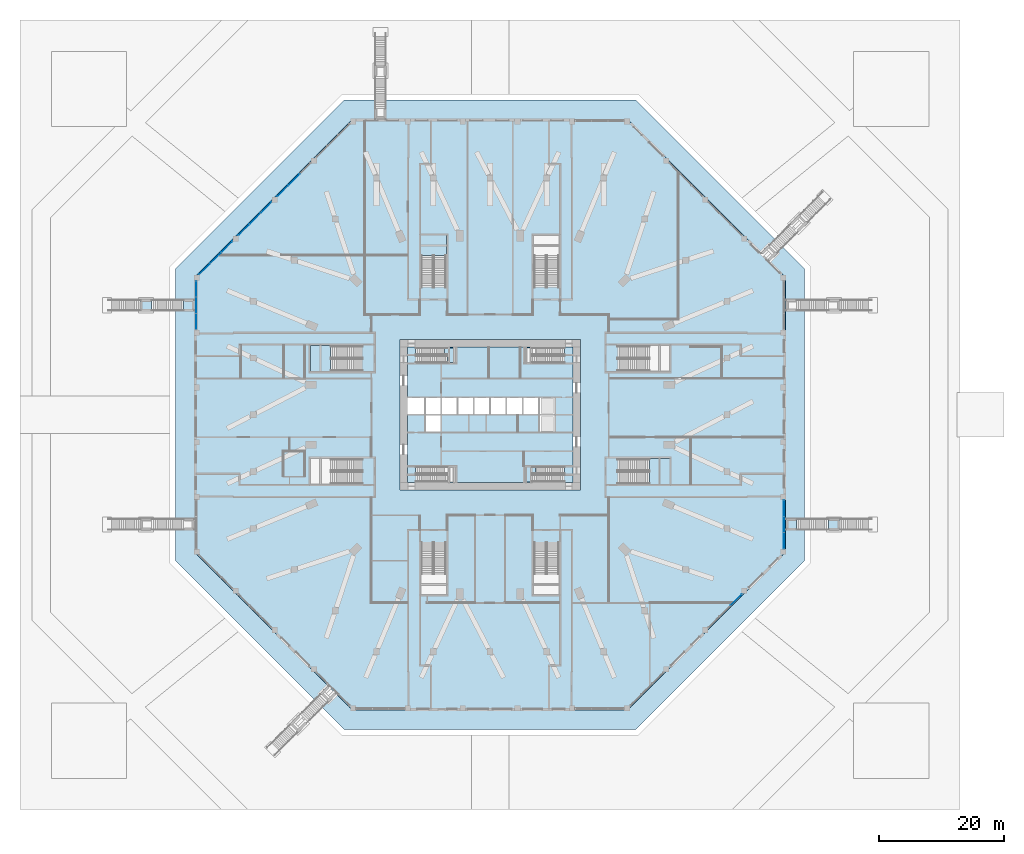
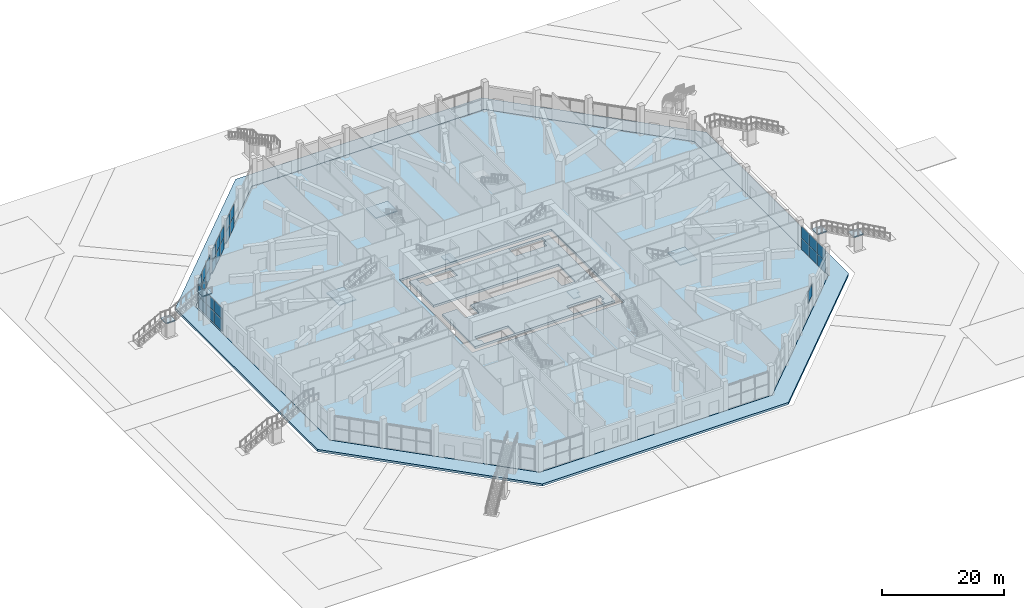
# One storey, part 17 of 36: 29 plates, 12 slabs, 13 elements without a shape of their own.
"""IFC4 building model written with IfcOpenShell, lengths in metres."""

from ifc_helpers import new_model, si_unit, direction, frame, origin, origin_2d, place, context, subcontext, project, spatial, polyline, rectangle, outline, extrude, material, layer, layer_set, constituent, constituent_set, type_object, element, aggregate, save


model = new_model("IFC4")

# Units and contexts
model_context = context("Model", 3, precision=1e-05, world=origin(), true_north=direction((0.0, 1.0)))
body_context = subcontext(model_context, "Body", "Model", "MODEL_VIEW")
ifc_project = project(units=[si_unit("LENGTHUNIT", "METRE"), si_unit("AREAUNIT", "SQUARE_METRE"), si_unit("VOLUMEUNIT", "CUBIC_METRE"), si_unit("PLANEANGLEUNIT", "RADIAN"), si_unit("MASSUNIT", "GRAM", prefix="KILO")], contexts=[model_context])

# Site, building, storey
site_placement = place(None, origin())
site = spatial("IfcSite", under=ifc_project, at=site_placement, CompositionType="ELEMENT")
building_placement = place(site_placement, origin())
building = spatial("IfcBuilding", under=site, at=building_placement, Name="Msitu Wima Residences", CompositionType="ELEMENT")
storey_placement = place(building_placement, origin())
storey = spatial("IfcBuildingStorey", under=building, at=storey_placement, Name="L00", CompositionType="ELEMENT", Elevation=0.0)

# Slabs
ifc_material_1 = material(Name="Concrete C40/50", Category="concrete")
ifc_layer_1 = layer(ifc_material_1, 0.451904296875)
ifc_layer_set_1 = layer_set([ifc_layer_1], Name="Concrete C40/50")
slab_type_1 = type_object("IfcSlabType", Name="Core floor CF452", PredefinedType="FLOOR", material=ifc_layer_set_1)
slab_1_placement = place(storey_placement, frame((0.0, 0.0, -0.451904296875)))
element("IfcSlab", 1, at=slab_1_placement, inside=storey, type_object=slab_type_1, Name="Core floor", PredefinedType="FLOOR", context=body_context, shape_type="SweptSolid", body=[
    extrude(outline(polyline([(-13.199951171875, 10.800048828125), (-13.199951171875, 2.800048828125), (-10.39990234375, 2.800048828125), (-7.800048828125, 2.800048828125), (-5.199951171875, 2.800048828125), (-2.60009765625, 2.800048828125), (0.0, 2.800048828125), (2.60009765625, 2.800048828125), (5.199951171875, 2.800048828125), (7.800048828125, 2.800048828125), (10.39990234375, 2.800048828125), (10.39990234375, 0.0), (10.39990234375, -2.800048828125), (7.800048828125, -2.800048828125), (7.800048828125, 0.0), (5.199951171875, 0.0), (2.60009765625, 0.0), (0.0, 0.0), (-2.60009765625, 0.0), (-5.199951171875, 0.0), (-7.800048828125, 0.0), (-7.800048828125, -2.800048828125), (-10.39990234375, -2.800048828125), (-10.39990234375, 0.0), (-13.199951171875, 0.0), (-13.199951171875, -10.800048828125), (13.199951171875, -10.800048828125), (13.199951171875, 10.800048828125), (-13.199951171875, 10.800048828125)]), holes=[polyline([(-11.375, -10.675048828125), (-11.375, -9.574951171875), (-11.87451171875, -9.574951171875), (-11.87451171875, -8.324951171875), (-5.52490234375, -8.324951171875), (-5.52490234375, -10.675048828125), (-11.375, -10.675048828125)]), polyline([(-11.375, 9.425048828125), (-11.87451171875, 9.425048828125), (-11.87451171875, 10.675048828125), (-5.52490234375, 10.675048828125), (-5.52490234375, 8.324951171875), (-11.375, 8.324951171875), (-11.375, 9.425048828125)]), polyline([(11.375, -9.574951171875), (11.375, -10.675048828125), (5.52490234375, -10.675048828125), (5.52490234375, -8.324951171875), (11.87451171875, -8.324951171875), (11.87451171875, -9.574951171875), (11.375, -9.574951171875)]), polyline([(11.375, 9.425048828125), (11.375, 8.324951171875), (5.52490234375, 8.324951171875), (5.52490234375, 10.675048828125), (11.87451171875, 10.675048828125), (11.87451171875, 9.425048828125), (11.375, 9.425048828125)])]), origin(), (0.0, 0.0, 1.0), 0.451904296875),
])
ifc_layer_2 = layer(ifc_material_1, 0.449951171875)
ifc_layer_set_2 = layer_set([ifc_layer_2], Name="Concrete C40/50")
slab_type_2 = type_object("IfcSlabType", Name="Floor slab FS450", PredefinedType="FLOOR", material=ifc_layer_set_2)
slab_2_placement = place(storey_placement, frame((0.0, 0.0, -0.449951171875)))
element("IfcSlab", 2, at=slab_2_placement, inside=storey, type_object=slab_type_2, Name="Floor slab L00", PredefinedType="FLOOR", context=body_context, shape_type="SweptSolid", body=[
    extrude(outline(polyline([(21.980224609375, -47.10009765625), (-21.980224609375, -47.10009765625), (-47.10009765625, -21.980224609375), (-47.10009765625, 21.980224609375), (-21.980224609375, 47.10009765625), (21.980224609375, 47.10009765625), (47.10009765625, 21.980224609375), (47.10009765625, -21.980224609375), (21.980224609375, -47.10009765625)]), holes=[polyline([(14.39990234375, 12.0), (-14.39990234375, 12.0), (-14.39990234375, -12.0), (14.39990234375, -12.0), (14.39990234375, 12.0)])]), origin(), (0.0, 0.0, 1.0), 0.449951171875),
])

# Stair, slabs
ifc_constituent_1 = constituent(ifc_material_1, Name="Concrete C40/50")
ifc_material_2 = material(Name="Exposed aggregate finish")
ifc_constituent_2 = constituent(ifc_material_2, Name="Exposed aggregate finish")
ifc_constituent_set = constituent_set(constituents=[ifc_constituent_1, ifc_constituent_2], Name="Concrete C40/50")
stair_type_1 = type_object("IfcStairType", Name="Garden stair GX1667-180", PredefinedType="STRAIGHT_RUN_STAIR", material=ifc_constituent_set)
stair_1_placement = place(storey_placement, origin())
stair_1 = element("IfcStair", 3, at=stair_1_placement, inside=storey, type_object=stair_type_1, Name="Garden stair 2", PredefinedType="STRAIGHT_RUN_STAIR")
ifc_layer_3 = layer(ifc_material_1, 0.199951171875)
ifc_layer_set_3 = layer_set([ifc_layer_3], Name="Concrete C40/50")
slab_type_3 = type_object("IfcSlabType", Name="Garden stair landing LG200", PredefinedType="LANDING", material=ifc_layer_set_3)
slab_3_placement = place(storey_placement, frame((0.0, 0.0, 5.800048828125)))
slab_3 = element("IfcSlab", 4, at=slab_3_placement, type_object=slab_type_3, Name="GS2 landing 1", PredefinedType="LANDING", context=body_context, shape_type="SweptSolid", body=[
    extrude(outline(polyline([(47.10009765625, -18.384765625), (47.10009765625, -16.584716796875), (48.89990234375, -16.584716796875), (48.89990234375, -18.384765625), (47.10009765625, -18.384765625)])), origin(), (0.0, 0.0, 1.0), 0.199951171875),
])
slab_4_placement = place(storey_placement, frame((0.0, 0.0, 2.800048828125)))
slab_4 = element("IfcSlab", 5, at=slab_4_placement, type_object=slab_type_3, Name="GS2 landing 2", PredefinedType="LANDING", context=body_context, shape_type="SweptSolid", body=[
    extrude(outline(polyline([(54.0, -18.384765625), (54.0, -16.584716796875), (55.800048828125, -16.584716796875), (55.800048828125, -18.384765625), (54.0, -18.384765625)])), origin(), (0.0, 0.0, 1.0), 0.199951171875),
])
aggregate(stair_1, [slab_3, slab_4])

stair_2_placement = place(storey_placement, origin())
stair_2 = element("IfcStair", 6, at=stair_2_placement, inside=storey, type_object=stair_type_1, Name="Garden stair 4", PredefinedType="STRAIGHT_RUN_STAIR")
slab_5_placement = place(storey_placement, frame((0.0, 0.0, 5.800048828125)))
slab_5 = element("IfcSlab", 7, at=slab_5_placement, type_object=slab_type_3, Name="GS4 landing 1", PredefinedType="LANDING", context=body_context, shape_type="SweptSolid", body=[
    extrude(outline(polyline([(-47.10009765625, 18.384765625), (-47.10009765625, 16.584716796875), (-48.89990234375, 16.584716796875), (-48.89990234375, 18.384765625), (-47.10009765625, 18.384765625)])), origin(), (0.0, 0.0, 1.0), 0.199951171875),
])
slab_6_placement = place(storey_placement, frame((0.0, 0.0, 2.800048828125)))
slab_6 = element("IfcSlab", 8, at=slab_6_placement, type_object=slab_type_3, Name="GS4 landing 2", PredefinedType="LANDING", context=body_context, shape_type="SweptSolid", body=[
    extrude(outline(polyline([(-54.0, 18.384765625), (-54.0, 16.584716796875), (-55.800048828125, 16.584716796875), (-55.800048828125, 18.384765625), (-54.0, 18.384765625)])), origin(), (0.0, 0.0, 1.0), 0.199951171875),
])
aggregate(stair_2, [slab_5, slab_6])

# Curtain wall, plates
ifc_material_3 = material(Name="Anodised aluminium, bronze finish, clear laminated low-emissivity double glazing", Category="aluminium")
curtain_wall_type = type_object("IfcCurtainWallType", Name="Curtain wall CW1 shopfront", PredefinedType="NOTDEFINED", material=ifc_material_3)
curtain_wall_1_placement = place(storey_placement, origin())
curtain_wall_1 = element("IfcCurtainWall", 9, at=curtain_wall_1_placement, inside=storey, type_object=curtain_wall_type, Name="Curtain wall CW1 L00 E0", PredefinedType="NOTDEFINED")
ifc_material_4 = material(Name="Clear laminated low-emissivity double glazing", Category="glass")
ifc_layer_4 = layer(ifc_material_4, 0.035888671875)
ifc_layer_set_4 = layer_set([ifc_layer_4], Name="Clear laminated low-emissivity double glazing")
plate_type = type_object("IfcPlateType", Name="Glass panel CW1 36", PredefinedType="CURTAIN_PANEL", material=ifc_layer_set_4)
plate_1_placement = place(storey_placement, frame((46.89990234375, -20.08251953125, 0.06494140625), z_axis=(0.0, 0.0, 1.0), x_axis=(0.0, 1.0, 0.0)))
plate_1 = element("IfcPlate", 10, at=plate_1_placement, type_object=plate_type, Name="CW1 panel 1.1", PredefinedType="CURTAIN_PANEL", context=body_context, shape_type="SweptSolid", body=[
    extrude(rectangle(XDim=2.5166015625, YDim=0.035888671875, at=origin_2d()), origin(), (0.0, 0.0, 1.0), 2.302490234375),
])
plate_2_placement = place(storey_placement, frame((46.89990234375, -20.08251953125, 2.4326171875), z_axis=(0.0, 0.0, 1.0), x_axis=(0.0, 1.0, 0.0)))
plate_2 = element("IfcPlate", 11, at=plate_2_placement, type_object=plate_type, Name="CW1 panel 1.2", PredefinedType="CURTAIN_PANEL", context=body_context, shape_type="SweptSolid", body=[
    extrude(rectangle(XDim=2.5166015625, YDim=0.035888671875, at=origin_2d()), origin(), (0.0, 0.0, 1.0), 2.302490234375),
])
plate_3_placement = place(storey_placement, frame((46.89990234375, -17.484619140625, 0.06494140625), z_axis=(0.0, 0.0, 1.0), x_axis=(0.0, 1.0, 0.0)))
plate_3 = element("IfcPlate", 12, at=plate_3_placement, type_object=plate_type, Name="CW1 panel 2.1", PredefinedType="CURTAIN_PANEL", context=body_context, shape_type="SweptSolid", body=[
    extrude(rectangle(XDim=2.549072265625, YDim=0.035888671875, at=origin_2d()), origin(), (0.0, 0.0, 1.0), 2.302490234375),
])
plate_4_placement = place(storey_placement, frame((46.89990234375, -17.484619140625, 2.4326171875), z_axis=(0.0, 0.0, 1.0), x_axis=(0.0, 1.0, 0.0)))
plate_4 = element("IfcPlate", 13, at=plate_4_placement, type_object=plate_type, Name="CW1 panel 2.2", PredefinedType="CURTAIN_PANEL", context=body_context, shape_type="SweptSolid", body=[
    extrude(rectangle(XDim=2.549072265625, YDim=0.035888671875, at=origin_2d()), origin(), (0.0, 0.0, 1.0), 2.302490234375),
])
plate_5_placement = place(storey_placement, frame((46.89990234375, -14.88671875, 0.06494140625), z_axis=(0.0, 0.0, 1.0), x_axis=(0.0, 1.0, 0.0)))
plate_5 = element("IfcPlate", 14, at=plate_5_placement, type_object=plate_type, Name="CW1 panel 3.1", PredefinedType="CURTAIN_PANEL", context=body_context, shape_type="SweptSolid", body=[
    extrude(rectangle(XDim=2.5166015625, YDim=0.035888671875, at=origin_2d()), origin(), (0.0, 0.0, 1.0), 2.302490234375),
])
plate_6_placement = place(storey_placement, frame((46.89990234375, -14.88671875, 2.4326171875), z_axis=(0.0, 0.0, 1.0), x_axis=(0.0, 1.0, 0.0)))
plate_6 = element("IfcPlate", 15, at=plate_6_placement, type_object=plate_type, Name="CW1 panel 3.2", PredefinedType="CURTAIN_PANEL", context=body_context, shape_type="SweptSolid", body=[
    extrude(rectangle(XDim=2.5166015625, YDim=0.035888671875, at=origin_2d()), origin(), (0.0, 0.0, 1.0), 2.302490234375),
])
aggregate(curtain_wall_1, [plate_1, plate_2, plate_3, plate_4, plate_5, plate_6])

curtain_wall_2_placement = place(storey_placement, origin())
curtain_wall_2 = element("IfcCurtainWall", 16, at=curtain_wall_2_placement, inside=storey, type_object=curtain_wall_type, Name="Curtain wall CW1 L00 NW1", PredefinedType="NOTDEFINED")
plate_7_placement = place(storey_placement, frame((-31.280517578125, 37.5166015625, 0.06494140625), z_axis=(0.0, 0.0, 1.0), x_axis=(-0.707106781187, -0.707106781187, 0.0)))
plate_7 = element("IfcPlate", 17, at=plate_7_placement, type_object=plate_type, Name="CW1 panel 2.1", PredefinedType="CURTAIN_PANEL", context=body_context, shape_type="SweptSolid", body=[
    extrude(rectangle(XDim=2.450439453125, YDim=0.035888671875, at=origin_2d()), origin(), (0.0, 0.0, 1.0), 2.302490234375),
])
plate_8_placement = place(storey_placement, frame((-31.280517578125, 37.5166015625, 2.4326171875), z_axis=(0.0, 0.0, 1.0), x_axis=(-0.707106781187, -0.707106781187, 0.0)))
plate_8 = element("IfcPlate", 18, at=plate_8_placement, type_object=plate_type, Name="CW1 panel 2.2", PredefinedType="CURTAIN_PANEL", context=body_context, shape_type="SweptSolid", body=[
    extrude(rectangle(XDim=2.450439453125, YDim=0.035888671875, at=origin_2d()), origin(), (0.0, 0.0, 1.0), 2.302490234375),
])
plate_9_placement = place(storey_placement, frame((-33.0478515625, 35.74951171875, 0.06494140625), z_axis=(0.0, 0.0, 1.0), x_axis=(-0.707106781187, -0.707106781187, 0.0)))
plate_9 = element("IfcPlate", 19, at=plate_9_placement, type_object=plate_type, Name="CW1 panel 3.1", PredefinedType="CURTAIN_PANEL", context=body_context, shape_type="SweptSolid", body=[
    extrude(rectangle(XDim=2.41796875, YDim=0.035888671875, at=origin_2d()), origin(), (0.0, 0.0, 1.0), 2.302490234375),
])
plate_10_placement = place(storey_placement, frame((-33.0478515625, 35.74951171875, 2.4326171875), z_axis=(0.0, 0.0, 1.0), x_axis=(-0.707106781187, -0.707106781187, 0.0)))
plate_10 = element("IfcPlate", 20, at=plate_10_placement, type_object=plate_type, Name="CW1 panel 3.2", PredefinedType="CURTAIN_PANEL", context=body_context, shape_type="SweptSolid", body=[
    extrude(rectangle(XDim=2.41796875, YDim=0.035888671875, at=origin_2d()), origin(), (0.0, 0.0, 1.0), 2.302490234375),
])
aggregate(curtain_wall_2, [plate_7, plate_8, plate_9, plate_10])

curtain_wall_3_placement = place(storey_placement, origin())
curtain_wall_3 = element("IfcCurtainWall", 21, at=curtain_wall_3_placement, inside=storey, type_object=curtain_wall_type, Name="Curtain wall CW1 L00 NW2", PredefinedType="NOTDEFINED")
plate_11_placement = place(storey_placement, frame((-35.74951171875, 33.0478515625, 0.06494140625), z_axis=(0.0, 0.0, 1.0), x_axis=(-0.707106781187, -0.707106781187, 0.0)))
plate_11 = element("IfcPlate", 22, at=plate_11_placement, type_object=plate_type, Name="CW1 panel 1.1", PredefinedType="CURTAIN_PANEL", context=body_context, shape_type="SweptSolid", body=[
    extrude(rectangle(XDim=2.41796875, YDim=0.035888671875, at=origin_2d()), origin(), (0.0, 0.0, 1.0), 2.302490234375),
])
plate_12_placement = place(storey_placement, frame((-35.74951171875, 33.0478515625, 2.4326171875), z_axis=(0.0, 0.0, 1.0), x_axis=(-0.707106781187, -0.707106781187, 0.0)))
plate_12 = element("IfcPlate", 23, at=plate_12_placement, type_object=plate_type, Name="CW1 panel 1.2", PredefinedType="CURTAIN_PANEL", context=body_context, shape_type="SweptSolid", body=[
    extrude(rectangle(XDim=2.41796875, YDim=0.035888671875, at=origin_2d()), origin(), (0.0, 0.0, 1.0), 2.302490234375),
])
plate_13_placement = place(storey_placement, frame((-37.5166015625, 31.280517578125, 0.06494140625), z_axis=(0.0, 0.0, 1.0), x_axis=(-0.707106781187, -0.707106781187, 0.0)))
plate_13 = element("IfcPlate", 24, at=plate_13_placement, type_object=plate_type, Name="CW1 panel 2.1", PredefinedType="CURTAIN_PANEL", context=body_context, shape_type="SweptSolid", body=[
    extrude(rectangle(XDim=2.450439453125, YDim=0.035888671875, at=origin_2d()), origin(), (0.0, 0.0, 1.0), 2.302490234375),
])
plate_14_placement = place(storey_placement, frame((-37.5166015625, 31.280517578125, 2.4326171875), z_axis=(0.0, 0.0, 1.0), x_axis=(-0.707106781187, -0.707106781187, 0.0)))
plate_14 = element("IfcPlate", 25, at=plate_14_placement, type_object=plate_type, Name="CW1 panel 2.2", PredefinedType="CURTAIN_PANEL", context=body_context, shape_type="SweptSolid", body=[
    extrude(rectangle(XDim=2.450439453125, YDim=0.035888671875, at=origin_2d()), origin(), (0.0, 0.0, 1.0), 2.302490234375),
])
plate_15_placement = place(storey_placement, frame((-39.283935546875, 29.513427734375, 0.06494140625), z_axis=(0.0, 0.0, 1.0), x_axis=(-0.707106781187, -0.707106781187, 0.0)))
plate_15 = element("IfcPlate", 26, at=plate_15_placement, type_object=plate_type, Name="CW1 panel 3.1", PredefinedType="CURTAIN_PANEL", context=body_context, shape_type="SweptSolid", body=[
    extrude(rectangle(XDim=2.41796875, YDim=0.035888671875, at=origin_2d()), origin(), (0.0, 0.0, 1.0), 2.302490234375),
])
plate_16_placement = place(storey_placement, frame((-39.283935546875, 29.513427734375, 2.4326171875), z_axis=(0.0, 0.0, 1.0), x_axis=(-0.707106781187, -0.707106781187, 0.0)))
plate_16 = element("IfcPlate", 27, at=plate_16_placement, type_object=plate_type, Name="CW1 panel 3.2", PredefinedType="CURTAIN_PANEL", context=body_context, shape_type="SweptSolid", body=[
    extrude(rectangle(XDim=2.41796875, YDim=0.035888671875, at=origin_2d()), origin(), (0.0, 0.0, 1.0), 2.302490234375),
])
aggregate(curtain_wall_3, [plate_11, plate_12, plate_13, plate_14, plate_15, plate_16])

curtain_wall_4_placement = place(storey_placement, origin())
curtain_wall_4 = element("IfcCurtainWall", 28, at=curtain_wall_4_placement, inside=storey, type_object=curtain_wall_type, Name="Curtain wall CW1 L00 NW3", PredefinedType="NOTDEFINED")
plate_17_placement = place(storey_placement, frame((-41.985595703125, 26.811767578125, 0.06494140625), z_axis=(0.0, 0.0, 1.0), x_axis=(-0.707106714926, -0.707106847447, 0.0)))
plate_17 = element("IfcPlate", 29, at=plate_17_placement, type_object=plate_type, Name="CW1 panel 1.1", PredefinedType="CURTAIN_PANEL", context=body_context, shape_type="SweptSolid", body=[
    extrude(rectangle(XDim=2.41796875, YDim=0.035888671875, at=origin_2d()), origin(), (0.0, 0.0, 1.0), 2.302490234375),
])
plate_18_placement = place(storey_placement, frame((-41.985595703125, 26.811767578125, 2.4326171875), z_axis=(0.0, 0.0, 1.0), x_axis=(-0.707106714926, -0.707106847447, 0.0)))
plate_18 = element("IfcPlate", 30, at=plate_18_placement, type_object=plate_type, Name="CW1 panel 1.2", PredefinedType="CURTAIN_PANEL", context=body_context, shape_type="SweptSolid", body=[
    extrude(rectangle(XDim=2.41796875, YDim=0.035888671875, at=origin_2d()), origin(), (0.0, 0.0, 1.0), 2.302490234375),
])
plate_19_placement = place(storey_placement, frame((-43.752685546875, 25.044677734375, 0.06494140625), z_axis=(0.0, 0.0, 1.0), x_axis=(-0.707106714926, -0.707106847447, 0.0)))
plate_19 = element("IfcPlate", 31, at=plate_19_placement, type_object=plate_type, Name="CW1 panel 2.1", PredefinedType="CURTAIN_PANEL", context=body_context, shape_type="SweptSolid", body=[
    extrude(rectangle(XDim=2.450439453125, YDim=0.035888671875, at=origin_2d()), origin(), (0.0, 0.0, 1.0), 2.302490234375),
])
plate_20_placement = place(storey_placement, frame((-43.752685546875, 25.044677734375, 2.4326171875), z_axis=(0.0, 0.0, 1.0), x_axis=(-0.707106714926, -0.707106847447, 0.0)))
plate_20 = element("IfcPlate", 32, at=plate_20_placement, type_object=plate_type, Name="CW1 panel 2.2", PredefinedType="CURTAIN_PANEL", context=body_context, shape_type="SweptSolid", body=[
    extrude(rectangle(XDim=2.450439453125, YDim=0.035888671875, at=origin_2d()), origin(), (0.0, 0.0, 1.0), 2.302490234375),
])
plate_21_placement = place(storey_placement, frame((-45.519775390625, 23.27734375, 0.06494140625), z_axis=(0.0, 0.0, 1.0), x_axis=(-0.707106714926, -0.707106847447, 0.0)))
plate_21 = element("IfcPlate", 33, at=plate_21_placement, type_object=plate_type, Name="CW1 panel 3.1", PredefinedType="CURTAIN_PANEL", context=body_context, shape_type="SweptSolid", body=[
    extrude(rectangle(XDim=2.41796875, YDim=0.035888671875, at=origin_2d()), origin(), (0.0, 0.0, 1.0), 2.302490234375),
])
plate_22_placement = place(storey_placement, frame((-45.519775390625, 23.27734375, 2.4326171875), z_axis=(0.0, 0.0, 1.0), x_axis=(-0.707106714926, -0.707106847447, 0.0)))
plate_22 = element("IfcPlate", 34, at=plate_22_placement, type_object=plate_type, Name="CW1 panel 3.2", PredefinedType="CURTAIN_PANEL", context=body_context, shape_type="SweptSolid", body=[
    extrude(rectangle(XDim=2.41796875, YDim=0.035888671875, at=origin_2d()), origin(), (0.0, 0.0, 1.0), 2.302490234375),
])
aggregate(curtain_wall_4, [plate_17, plate_18, plate_19, plate_20, plate_21, plate_22])

curtain_wall_5_placement = place(storey_placement, origin())
curtain_wall_5 = element("IfcCurtainWall", 35, at=curtain_wall_5_placement, inside=storey, type_object=curtain_wall_type, Name="Curtain wall CW1 L00 W0", PredefinedType="NOTDEFINED")
plate_23_placement = place(storey_placement, frame((-46.89990234375, 20.08251953125, 0.06494140625), z_axis=(0.0, 0.0, 1.0), x_axis=(0.0, -1.0, 0.0)))
plate_23 = element("IfcPlate", 36, at=plate_23_placement, type_object=plate_type, Name="CW1 panel 1.1", PredefinedType="CURTAIN_PANEL", context=body_context, shape_type="SweptSolid", body=[
    extrude(rectangle(XDim=2.5166015625, YDim=0.035888671875, at=origin_2d()), origin(), (0.0, 0.0, 1.0), 2.302490234375),
])
plate_24_placement = place(storey_placement, frame((-46.89990234375, 20.08251953125, 2.4326171875), z_axis=(0.0, 0.0, 1.0), x_axis=(0.0, -1.0, 0.0)))
plate_24 = element("IfcPlate", 37, at=plate_24_placement, type_object=plate_type, Name="CW1 panel 1.2", PredefinedType="CURTAIN_PANEL", context=body_context, shape_type="SweptSolid", body=[
    extrude(rectangle(XDim=2.5166015625, YDim=0.035888671875, at=origin_2d()), origin(), (0.0, 0.0, 1.0), 2.302490234375),
])
plate_25_placement = place(storey_placement, frame((-46.89990234375, 17.484619140625, 0.06494140625), z_axis=(0.0, 0.0, 1.0), x_axis=(0.0, -1.0, 0.0)))
plate_25 = element("IfcPlate", 38, at=plate_25_placement, type_object=plate_type, Name="CW1 panel 2.1", PredefinedType="CURTAIN_PANEL", context=body_context, shape_type="SweptSolid", body=[
    extrude(rectangle(XDim=2.549072265625, YDim=0.035888671875, at=origin_2d()), origin(), (0.0, 0.0, 1.0), 2.302490234375),
])
plate_26_placement = place(storey_placement, frame((-46.89990234375, 17.484619140625, 2.4326171875), z_axis=(0.0, 0.0, 1.0), x_axis=(0.0, -1.0, 0.0)))
plate_26 = element("IfcPlate", 39, at=plate_26_placement, type_object=plate_type, Name="CW1 panel 2.2", PredefinedType="CURTAIN_PANEL", context=body_context, shape_type="SweptSolid", body=[
    extrude(rectangle(XDim=2.549072265625, YDim=0.035888671875, at=origin_2d()), origin(), (0.0, 0.0, 1.0), 2.302490234375),
])
plate_27_placement = place(storey_placement, frame((-46.89990234375, 14.88671875, 0.06494140625), z_axis=(0.0, 0.0, 1.0), x_axis=(0.0, -1.0, 0.0)))
plate_27 = element("IfcPlate", 40, at=plate_27_placement, type_object=plate_type, Name="CW1 panel 3.1", PredefinedType="CURTAIN_PANEL", context=body_context, shape_type="SweptSolid", body=[
    extrude(rectangle(XDim=2.5166015625, YDim=0.035888671875, at=origin_2d()), origin(), (0.0, 0.0, 1.0), 2.302490234375),
])
plate_28_placement = place(storey_placement, frame((-46.89990234375, 14.88671875, 2.4326171875), z_axis=(0.0, 0.0, 1.0), x_axis=(0.0, -1.0, 0.0)))
plate_28 = element("IfcPlate", 41, at=plate_28_placement, type_object=plate_type, Name="CW1 panel 3.2", PredefinedType="CURTAIN_PANEL", context=body_context, shape_type="SweptSolid", body=[
    extrude(rectangle(XDim=2.5166015625, YDim=0.035888671875, at=origin_2d()), origin(), (0.0, 0.0, 1.0), 2.302490234375),
])
aggregate(curtain_wall_5, [plate_23, plate_24, plate_25, plate_26, plate_27, plate_28])

# Curtain wall, plate
curtain_wall_6_placement = place(storey_placement, origin())
curtain_wall_6 = element("IfcCurtainWall", 42, at=curtain_wall_6_placement, inside=storey, type_object=curtain_wall_type, Name="Curtain wall CW1 L00 SE2", PredefinedType="NOTDEFINED")
plate_29_placement = place(storey_placement, frame((39.283935546875, -29.513427734375, 2.4326171875), z_axis=(0.0, 0.0, 1.0), x_axis=(0.707106781187, 0.707106781187, 0.0)))
plate_29 = element("IfcPlate", 43, at=plate_29_placement, type_object=plate_type, Name="CW1 panel 3.2", PredefinedType="CURTAIN_PANEL", context=body_context, shape_type="SweptSolid", body=[
    extrude(rectangle(XDim=2.41796875, YDim=0.035888671875, at=origin_2d()), origin(), (0.0, 0.0, 1.0), 2.302490234375),
])
aggregate(curtain_wall_6, [plate_29])

# Slab
ifc_layer_5 = layer(ifc_material_1, 0.449951171875)
ifc_layer_set_5 = layer_set([ifc_layer_5], Name="Concrete C40/50")
slab_type_4 = type_object("IfcSlabType", Name="Plaza deck PD450", PredefinedType="FLOOR", material=ifc_layer_set_5)
slab_7_placement = place(storey_placement, frame((0.0, 0.0, -0.449951171875)))
element("IfcSlab", 44, at=slab_7_placement, inside=storey, type_object=slab_type_4, Name="Plaza terrace deck over B1", PredefinedType="FLOOR", context=body_context, shape_type="SweptSolid", body=[
    extrude(outline(polyline([(23.26416015625, -50.199951171875), (-23.26416015625, -50.199951171875), (-50.199951171875, -23.26416015625), (-50.199951171875, 23.26416015625), (-23.26416015625, 50.199951171875), (23.26416015625, 50.199951171875), (50.199951171875, 23.26416015625), (50.199951171875, -23.26416015625), (23.26416015625, -50.199951171875)]), holes=[polyline([(47.10009765625, 21.980224609375), (21.980224609375, 47.10009765625), (-21.980224609375, 47.10009765625), (-47.10009765625, 21.980224609375), (-47.10009765625, -21.980224609375), (-21.980224609375, -47.10009765625), (21.980224609375, -47.10009765625), (47.10009765625, -21.980224609375), (47.10009765625, 21.980224609375)])]), origin(), (0.0, 0.0, 1.0), 0.449951171875),
])

# Stair, slab
stair_type_2 = type_object("IfcStairType", Name="Exit stair ES1667-110", PredefinedType="HALF_TURN_STAIR", material=ifc_material_1)
stair_3_placement = place(storey_placement, origin())
stair_3 = element("IfcStair", 45, at=stair_3_placement, inside=storey, type_object=stair_type_2, Name="Exit stair 1", PredefinedType="HALF_TURN_STAIR")
ifc_layer_6 = layer(ifc_material_1, 0.199951171875)
ifc_layer_set_6 = layer_set([ifc_layer_6], Name="Concrete C40/50")
slab_type_5 = type_object("IfcSlabType", Name="Stair landing SL200", PredefinedType="LANDING", material=ifc_layer_set_6)
slab_8_placement = place(storey_placement, frame((0.0, 0.0, 2.800048828125)))
slab_8 = element("IfcSlab", 46, at=slab_8_placement, type_object=slab_type_5, Name="S1 landing 1", PredefinedType="LANDING", context=body_context, shape_type="SweptSolid", body=[
    extrude(outline(polyline([(-5.52490234375, 8.324951171875), (-6.775390625, 8.324951171875), (-6.775390625, 9.5), (-7.27490234375, 9.5), (-7.27490234375, 10.675048828125), (-5.52490234375, 10.675048828125), (-5.52490234375, 8.324951171875)])), origin(), (0.0, 0.0, 1.0), 0.199951171875),
])
aggregate(stair_3, [slab_8])

stair_4_placement = place(storey_placement, origin())
stair_4 = element("IfcStair", 47, at=stair_4_placement, inside=storey, type_object=stair_type_2, Name="Exit stair 4", PredefinedType="HALF_TURN_STAIR")
slab_9_placement = place(storey_placement, frame((0.0, 0.0, 2.800048828125)))
slab_9 = element("IfcSlab", 48, at=slab_9_placement, type_object=slab_type_5, Name="S4 landing 1", PredefinedType="LANDING", context=body_context, shape_type="SweptSolid", body=[
    extrude(outline(polyline([(5.52490234375, -10.675048828125), (6.775390625, -10.675048828125), (6.775390625, -9.5), (7.27490234375, -9.5), (7.27490234375, -8.324951171875), (5.52490234375, -8.324951171875), (5.52490234375, -10.675048828125)])), origin(), (0.0, 0.0, 1.0), 0.199951171875),
])
aggregate(stair_4, [slab_9])

stair_type_3 = type_object("IfcStairType", Name="Podium exit stair PX1667-190", PredefinedType="HALF_TURN_STAIR", material=ifc_material_1)
stair_5_placement = place(storey_placement, origin())
stair_5 = element("IfcStair", 49, at=stair_5_placement, inside=storey, type_object=stair_type_3, Name="Podium exit stair 2", PredefinedType="HALF_TURN_STAIR")
slab_10_placement = place(storey_placement, frame((0.0, 0.0, 2.800048828125)))
slab_10 = element("IfcSlab", 50, at=slab_10_placement, type_object=slab_type_5, Name="PS2 landing 1", PredefinedType="LANDING", context=body_context, shape_type="SweptSolid", body=[
    extrude(outline(polyline([(25.425048828125, -6.925048828125), (28.675048828125, -6.925048828125), (28.675048828125, -11.074951171875), (25.425048828125, -11.074951171875), (25.425048828125, -6.925048828125)])), origin(), (0.0, 0.0, 1.0), 0.199951171875),
])
aggregate(stair_5, [slab_10])

stair_6_placement = place(storey_placement, origin())
stair_6 = element("IfcStair", 51, at=stair_6_placement, inside=storey, type_object=stair_type_3, Name="Podium exit stair 3", PredefinedType="HALF_TURN_STAIR")
slab_11_placement = place(storey_placement, frame((0.0, 0.0, 2.800048828125)))
slab_11 = element("IfcSlab", 52, at=slab_11_placement, type_object=slab_type_5, Name="PS3 landing 1", PredefinedType="LANDING", context=body_context, shape_type="SweptSolid", body=[
    extrude(outline(polyline([(-6.925048828125, 25.425048828125), (-6.925048828125, 28.675048828125), (-11.074951171875, 28.675048828125), (-11.074951171875, 25.425048828125), (-6.925048828125, 25.425048828125)])), origin(), (0.0, 0.0, 1.0), 0.199951171875),
])
aggregate(stair_6, [slab_11])

stair_7_placement = place(storey_placement, origin())
stair_7 = element("IfcStair", 53, at=stair_7_placement, inside=storey, type_object=stair_type_3, Name="Podium exit stair 6", PredefinedType="HALF_TURN_STAIR")
slab_12_placement = place(storey_placement, frame((0.0, 0.0, 2.800048828125)))
slab_12 = element("IfcSlab", 54, at=slab_12_placement, type_object=slab_type_5, Name="PS6 landing 1", PredefinedType="LANDING", context=body_context, shape_type="SweptSolid", body=[
    extrude(outline(polyline([(-25.425048828125, 6.925048828125), (-28.675048828125, 6.925048828125), (-28.675048828125, 11.074951171875), (-25.425048828125, 11.074951171875), (-25.425048828125, 6.925048828125)])), origin(), (0.0, 0.0, 1.0), 0.199951171875),
])
aggregate(stair_7, [slab_12])

save(model, "model.ifc")
